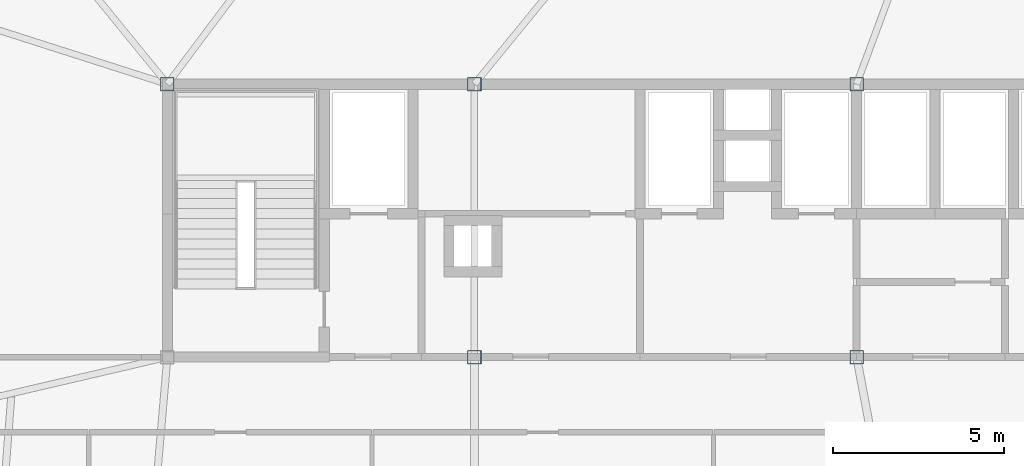
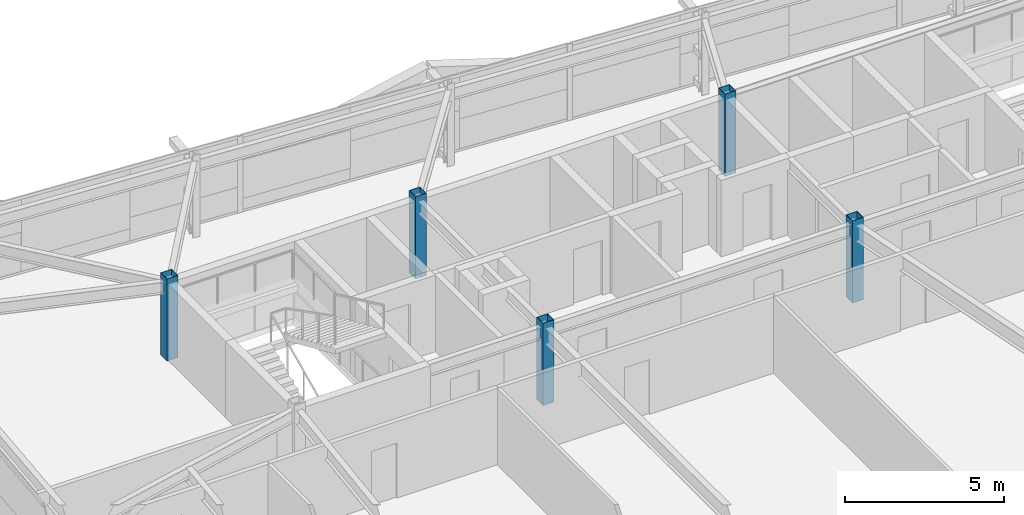
# One storey, part 2 of 39: 5 columns.
"""IFC4 building model written with IfcOpenShell, lengths in metres."""

from ifc_helpers import new_model, si_unit, direction, frame, origin, origin_2d, place, context, subcontext, project, spatial, hollow_rectangle, extrude, source, transform, mapped, material, material_profile, profile_set, type_object, element, save


model = new_model("IFC4")

# Units and contexts
model_context = context("Model", 3, precision=1e-05, world=origin(), true_north=direction((0.0, 1.0)))
body_context = subcontext(model_context, "Body", "Model", "MODEL_VIEW")
ifc_project = project(units=[si_unit("LENGTHUNIT", "METRE"), si_unit("AREAUNIT", "SQUARE_METRE"), si_unit("VOLUMEUNIT", "CUBIC_METRE"), si_unit("PLANEANGLEUNIT", "RADIAN"), si_unit("MASSUNIT", "GRAM", prefix="KILO")], contexts=[model_context])

# Site, building, storey
site_placement = place(None, origin())
site = spatial("IfcSite", under=ifc_project, at=site_placement, CompositionType="ELEMENT")
building_placement = place(site_placement, origin())
building = spatial("IfcBuilding", under=site, at=building_placement, Name="Taldren Reach Tower", CompositionType="ELEMENT")
storey_placement = place(building_placement, frame((0.0, 0.0, 148.75)))
storey = spatial("IfcBuildingStorey", under=building, at=storey_placement, Name="L45", CompositionType="ELEMENT", Elevation=148.75)

# Columns
ifc_material = material(Name="Steel Gr 450 (C450L0)", Category="steel")
ifc_material_profile = material_profile(ifc_material, hollow_rectangle(XDim=0.39990234375, YDim=0.39990234375, WallThickness=0.01611328125, at=origin_2d()), Name="400x400x16.0SHS")
ifc_profile_set = profile_set([ifc_material_profile], Name="Steel Gr 450 (C450L0)")
column_type = type_object("IfcColumnType", Name="COL-SHS400", PredefinedType="COLUMN", material=ifc_profile_set)
shared_shape = source(origin(), body_context, "Body", "SweptSolid", [
    extrude(hollow_rectangle(XDim=0.39990234375, YDim=0.39990234375, WallThickness=0.01611328125, at=origin_2d()), origin(), (0.0, 0.0, 1.0), 3.14990234375),
])
for number, where, z_axis, x_axis, name in (
    (1, (28.0, 24.0, 0.0), (0.0, 0.0, 1.0), (1.0, 0.0, 0.0), "Mega column MC-C2 L45"),
    (2, (39.199951171875, 24.0, 0.0), (0.0, 0.0, 1.0), (1.0, 0.0, 0.0), "Mega column MC-C3 L45"),
    (3, (19.0, 32.0, 0.0), (0.0, 0.0, 1.0), (1.0, 0.0, 0.0), "Mega column MC-C5 L45"),
    (4, (28.0, 32.0, 0.0), (0.0, 0.0, 1.0), (1.0, 0.0, 0.0), "Mega column MC-C6 L45"),
    (5, (39.199951171875, 32.0, 0.0), (0.0, 0.0, 1.0), (1.0, 0.0, 0.0), "Mega column MC-C7 L45"),
):
    element("IfcColumn", number, at=place(storey_placement, frame(where, z_axis=z_axis, x_axis=x_axis)), inside=storey, type_object=column_type, Name=name, PredefinedType="COLUMN", context=body_context, shape_type="MappedRepresentation", body=[
        mapped(shared_shape, transform((0.0, 0.0, 0.0), scale=1.0)),
    ])

save(model, "model.ifc")
